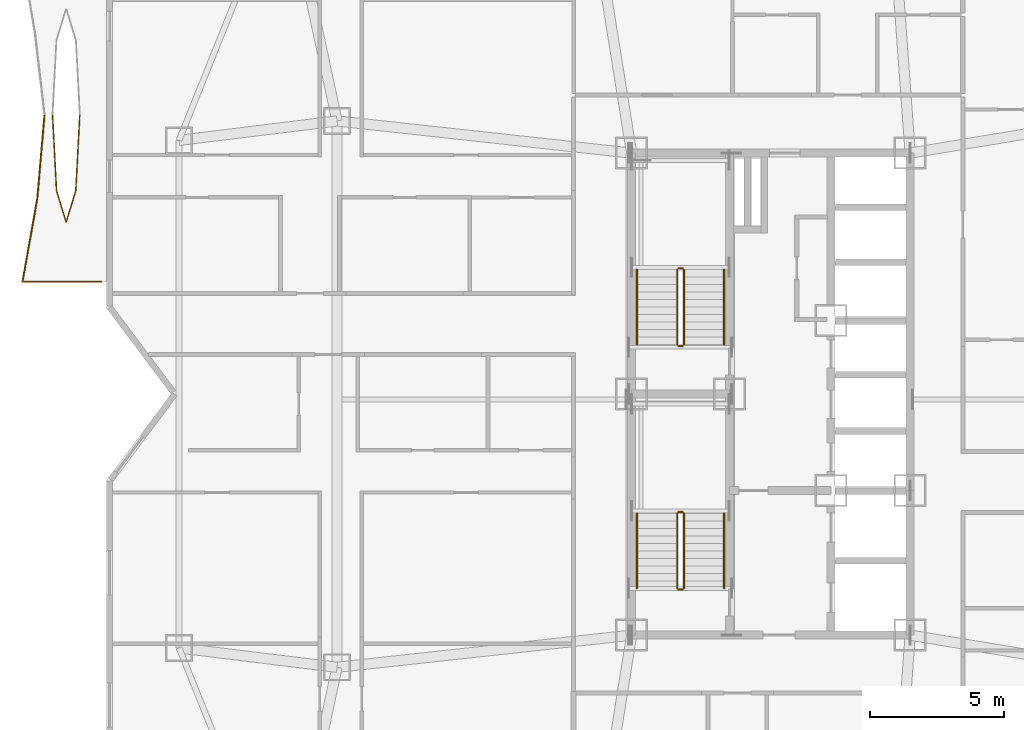
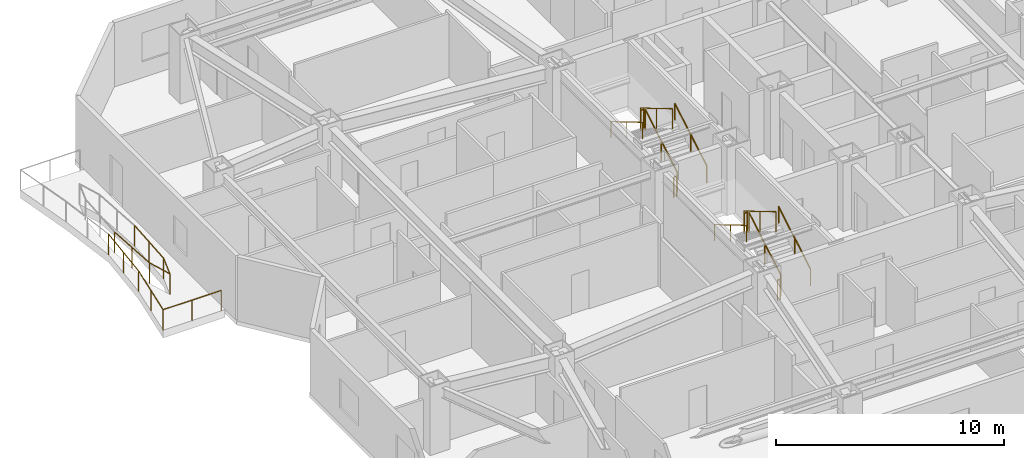
# One storey, part 13 of 14: 14 railings.
"""IFC4 building model written with IfcOpenShell, lengths in metres."""

from ifc_helpers import new_model, si_unit, direction, frame, origin, origin_2d, place, context, subcontext, project, spatial, circle, extrude, material, type_object, element, save


model = new_model("IFC4")

# Units and contexts
model_context = context("Model", 3, precision=1e-05, world=origin(), true_north=direction((0.0, 1.0)))
body_context = subcontext(model_context, "Body", "Model", "MODEL_VIEW")
ifc_project = project(units=[si_unit("LENGTHUNIT", "METRE"), si_unit("AREAUNIT", "SQUARE_METRE"), si_unit("VOLUMEUNIT", "CUBIC_METRE"), si_unit("PLANEANGLEUNIT", "RADIAN"), si_unit("MASSUNIT", "GRAM", prefix="KILO")], contexts=[model_context])

# Site, building, storey
site_placement = place(None, origin())
site = spatial("IfcSite", under=ifc_project, at=site_placement, CompositionType="ELEMENT")
building_placement = place(site_placement, origin())
building = spatial("IfcBuilding", under=site, at=building_placement, Name="Khamvora Tower", CompositionType="ELEMENT")
storey_placement = place(building_placement, frame((0.0, 0.0, 123.800048828125)))
storey = spatial("IfcBuildingStorey", under=building, at=storey_placement, Name="L31", CompositionType="ELEMENT", Elevation=123.800048828125)

# Railings
ifc_material_1 = material(Name="Stainless Steel 316 and Laminated Glass", Category="steel")
railing_type_1 = type_object("IfcRailingType", Name="RAL-GAL-1120", PredefinedType="GUARDRAIL", material=ifc_material_1)
railing_1_placement = place(storey_placement, frame((9.199951171875, 32.199951171875, 0.0)))
element("IfcRailing", 1, at=railing_1_placement, inside=storey, type_object=railing_type_1, Name="L31 lens gallery south perimeter guardrail WL2", PredefinedType="GUARDRAIL", context=body_context, shape_type="SweptSolid", body=[
    extrude(circle(Radius=0.02392578125, at=origin_2d()), frame((0.0, 0.0, 1.09619140625), z_axis=(-1.0, 0.0, 0.0), x_axis=(0.0, -1.0, 0.0)), (0.0, 0.0, 1.0), 2.947021484375),
    extrude(circle(Radius=0.02392578125, at=origin_2d()), frame((-2.947021484375, 0.0, 1.09619140625), z_axis=(0.175001599653, 0.984568149047, 0.0), x_axis=(-0.984568149047, 0.175001599653, 0.0)), (0.0, 0.0, 1.0), 3.148681640625),
    extrude(circle(Radius=0.02392578125, at=origin_2d()), frame((-2.39599609375, 3.10009765625, 1.09619140625), z_axis=(0.086155572338, 0.996281695784, 0.0), x_axis=(-0.996281695784, 0.086155572338, 0.0)), (0.0, 0.0, 1.0), 3.111328125),
    extrude(circle(Radius=0.02099609375, at=origin_2d()), origin(), (0.0, 0.0, 1.0), 1.072021484375),
    extrude(circle(Radius=0.02099609375, at=origin_2d()), frame((-1.4736328125, 0.0, 0.0)), (0.0, 0.0, 1.0), 1.072021484375),
    extrude(circle(Radius=0.02099609375, at=origin_2d()), frame((-2.947021484375, 0.0, 0.0)), (0.0, 0.0, 1.0), 1.072021484375),
    extrude(circle(Radius=0.02099609375, at=origin_2d()), frame((-2.67138671875, 1.550048828125, 0.0)), (0.0, 0.0, 1.0), 1.072021484375),
    extrude(circle(Radius=0.02099609375, at=origin_2d()), frame((-2.39599609375, 3.10009765625, 0.0)), (0.0, 0.0, 1.0), 1.072021484375),
    extrude(circle(Radius=0.02099609375, at=origin_2d()), frame((-2.261962890625, 4.64990234375, 0.0)), (0.0, 0.0, 1.0), 1.072021484375),
    extrude(circle(Radius=0.02099609375, at=origin_2d()), frame((-2.1279296875, 6.199951171875, 0.0)), (0.0, 0.0, 1.0), 1.072021484375),
])
railing_2_placement = place(storey_placement, frame((7.381103515625, 38.39990234375, 0.0)))
element("IfcRailing", 2, at=railing_2_placement, inside=storey, type_object=railing_type_1, Name="L31 lens gallery void guardrail WL2B", PredefinedType="GUARDRAIL", context=body_context, shape_type="SweptSolid", body=[
    extrude(circle(Radius=0.02392578125, at=origin_2d()), frame((0.0, 0.0, 1.09619140625), z_axis=(0.052654602562, -0.998612784231, 0.0), x_axis=(0.998612784231, 0.052654602562, 0.0)), (0.0, 0.0, 1.0), 2.809814453125),
    extrude(circle(Radius=0.02392578125, at=origin_2d()), frame((0.14794921875, -2.805908203125, 1.09619140625), z_axis=(0.292871691974, -0.956151751575, 0.0), x_axis=(0.956151751575, 0.292871691974, 0.0)), (0.0, 0.0, 1.0), 1.21533203125),
    extrude(circle(Radius=0.02392578125, at=origin_2d()), frame((0.50390625, -3.968017578125, 1.09619140625), z_axis=(0.292871691974, 0.956151751575, 0.0), x_axis=(-0.956151751575, 0.292871691974, 0.0)), (0.0, 0.0, 1.0), 1.21533203125),
    extrude(circle(Radius=0.02392578125, at=origin_2d()), frame((0.85986328125, -2.805908203125, 1.09619140625), z_axis=(0.052654602562, 0.998612784231, 0.0), x_axis=(-0.998612784231, 0.052654602562, 0.0)), (0.0, 0.0, 1.0), 2.809814453125),
    extrude(circle(Radius=0.02099609375, at=origin_2d()), origin(), (0.0, 0.0, 1.0), 1.072021484375),
    extrude(circle(Radius=0.02099609375, at=origin_2d()), frame((0.073974609375, -1.40283203125, 0.0)), (0.0, 0.0, 1.0), 1.072021484375),
    extrude(circle(Radius=0.02099609375, at=origin_2d()), frame((0.14794921875, -2.805908203125, 0.0)), (0.0, 0.0, 1.0), 1.072021484375),
    extrude(circle(Radius=0.02099609375, at=origin_2d()), frame((0.50390625, -3.968017578125, 0.0)), (0.0, 0.0, 1.0), 1.072021484375),
    extrude(circle(Radius=0.02099609375, at=origin_2d()), frame((0.85986328125, -2.805908203125, 0.0)), (0.0, 0.0, 1.0), 1.072021484375),
    extrude(circle(Radius=0.02099609375, at=origin_2d()), frame((0.933837890625, -1.40283203125, 0.0)), (0.0, 0.0, 1.0), 1.072021484375),
    extrude(circle(Radius=0.02099609375, at=origin_2d()), frame((1.0078125, 0.0, 0.0)), (0.0, 0.0, 1.0), 1.072021484375),
])
ifc_material_2 = material(Name="Brushed Stainless Steel 316", Category="steel")
railing_type_2 = type_object("IfcRailingType", Name="RAL-HDR-920", PredefinedType="HANDRAIL", material=ifc_material_2)
railing_3_placement = place(storey_placement, frame((32.449951171875, 20.75, 0.165771484375)))
element("IfcRailing", 3, at=railing_3_placement, inside=storey, type_object=railing_type_2, Name="L31 ST-01 stair handrail 1", PredefinedType="HANDRAIL", context=body_context, shape_type="SweptSolid", body=[
    extrude(circle(Radius=0.02392578125, at=origin_2d()), frame((0.0, 0.0, 0.8759765625), z_axis=(0.0, 0.860306154799, 0.50977771628), x_axis=(-1.0, 0.0, 0.0)), (0.0, 0.0, 1.0), 3.254638671875),
    extrude(circle(Radius=0.02099609375, at=origin_2d()), origin(), (0.0, 0.0, 1.0), 0.851806640625),
    extrude(circle(Radius=0.02099609375, at=origin_2d()), frame((0.0, 1.39990234375, 0.82958984375)), (0.0, 0.0, 1.0), 0.851806640625),
    extrude(circle(Radius=0.02099609375, at=origin_2d()), frame((0.0, 2.800048828125, 1.6591796875)), (0.0, 0.0, 1.0), 0.851806640625),
])
railing_4_placement = place(storey_placement, frame((29.199951171875, 23.550048828125, 1.990966796875)))
element("IfcRailing", 4, at=railing_4_placement, inside=storey, type_object=railing_type_2, Name="L31 ST-01 stair handrail 2", PredefinedType="HANDRAIL", context=body_context, shape_type="SweptSolid", body=[
    extrude(circle(Radius=0.02392578125, at=origin_2d()), frame((0.0, 0.0, 0.8759765625), z_axis=(0.0, -0.860339051648, 0.50972219513), x_axis=(1.0, 0.0, 0.0)), (0.0, 0.0, 1.0), 3.254638671875),
    extrude(circle(Radius=0.02099609375, at=origin_2d()), origin(), (0.0, 0.0, 1.0), 0.851806640625),
    extrude(circle(Radius=0.02099609375, at=origin_2d()), frame((0.0, -1.39990234375, 0.82958984375)), (0.0, 0.0, 1.0), 0.851806640625),
    extrude(circle(Radius=0.02099609375, at=origin_2d()), frame((0.0, -2.800048828125, 1.658935546875)), (0.0, 0.0, 1.0), 0.851806640625),
])
railing_5_placement = place(storey_placement, frame((32.449951171875, 29.85009765625, 0.165771484375)))
element("IfcRailing", 5, at=railing_5_placement, inside=storey, type_object=railing_type_2, Name="L31 ST-02 stair handrail 1", PredefinedType="HANDRAIL", context=body_context, shape_type="SweptSolid", body=[
    extrude(circle(Radius=0.02392578125, at=origin_2d()), frame((0.0, 0.0, 0.8759765625), z_axis=(0.0, 0.860286659441, 0.509810615413), x_axis=(-1.0, 0.0, 0.0)), (0.0, 0.0, 1.0), 3.25439453125),
    extrude(circle(Radius=0.02099609375, at=origin_2d()), origin(), (0.0, 0.0, 1.0), 0.851806640625),
    extrude(circle(Radius=0.02099609375, at=origin_2d()), frame((0.0, 1.39990234375, 0.82958984375)), (0.0, 0.0, 1.0), 0.851806640625),
    extrude(circle(Radius=0.02099609375, at=origin_2d()), frame((0.0, 2.7998046875, 1.6591796875)), (0.0, 0.0, 1.0), 0.851806640625),
])
railing_6_placement = place(storey_placement, frame((29.199951171875, 32.64990234375, 1.990966796875)))
element("IfcRailing", 6, at=railing_6_placement, inside=storey, type_object=railing_type_2, Name="L31 ST-02 stair handrail 2", PredefinedType="HANDRAIL", context=body_context, shape_type="SweptSolid", body=[
    extrude(circle(Radius=0.02392578125, at=origin_2d()), frame((0.0, 0.0, 0.8759765625), z_axis=(0.0, -0.860319559791, 0.509755093197), x_axis=(1.0, 0.0, 0.0)), (0.0, 0.0, 1.0), 3.25439453125),
    extrude(circle(Radius=0.02099609375, at=origin_2d()), origin(), (0.0, 0.0, 1.0), 0.851806640625),
    extrude(circle(Radius=0.02099609375, at=origin_2d()), frame((0.0, -1.39990234375, 0.82958984375)), (0.0, 0.0, 1.0), 0.851806640625),
    extrude(circle(Radius=0.02099609375, at=origin_2d()), frame((0.0, -2.7998046875, 1.658935546875)), (0.0, 0.0, 1.0), 0.851806640625),
])
ifc_material_3 = material(Name="Stainless Steel 316", Category="steel")
railing_type_3 = type_object("IfcRailingType", Name="RAL-STG-1100", PredefinedType="GUARDRAIL", material=ifc_material_3)
railing_7_placement = place(storey_placement, frame((30.949951171875, 20.75, 0.165771484375)))
element("IfcRailing", 7, at=railing_7_placement, inside=storey, type_object=railing_type_3, Name="L31 ST-01 stair guard 1", PredefinedType="GUARDRAIL", context=body_context, shape_type="SweptSolid", body=[
    extrude(circle(Radius=0.02392578125, at=origin_2d()), frame((0.0, 0.0, 1.076171875), z_axis=(0.0, 0.860306154799, 0.50977771628), x_axis=(-1.0, 0.0, 0.0)), (0.0, 0.0, 1.0), 3.254638671875),
    extrude(circle(Radius=0.02099609375, at=origin_2d()), origin(), (0.0, 0.0, 1.0), 1.052001953125),
    extrude(circle(Radius=0.02099609375, at=origin_2d()), frame((0.0, 1.39990234375, 0.82958984375)), (0.0, 0.0, 1.0), 1.052001953125),
    extrude(circle(Radius=0.02099609375, at=origin_2d()), frame((0.0, 2.800048828125, 1.6591796875)), (0.0, 0.0, 1.0), 1.052001953125),
])
railing_8_placement = place(storey_placement, frame((30.89990234375, 23.60009765625, 1.824951171875)))
element("IfcRailing", 8, at=railing_8_placement, inside=storey, type_object=railing_type_3, Name="L31 ST-01 stair guard 2", PredefinedType="GUARDRAIL", context=body_context, shape_type="SweptSolid", body=[
    extrude(circle(Radius=0.02392578125, at=origin_2d()), frame((0.0, 0.0, 1.076171875), z_axis=(-1.0, 0.0, 0.0), x_axis=(0.0, -1.0, 0.0)), (0.0, 0.0, 1.0), 0.14990234375),
    extrude(circle(Radius=0.02099609375, at=origin_2d()), origin(), (0.0, 0.0, 1.0), 1.052001953125),
    extrude(circle(Radius=0.02099609375, at=origin_2d()), frame((-0.14990234375, 0.0, 0.0)), (0.0, 0.0, 1.0), 1.052001953125),
])
railing_9_placement = place(storey_placement, frame((30.699951171875, 23.550048828125, 1.990966796875)))
element("IfcRailing", 9, at=railing_9_placement, inside=storey, type_object=railing_type_3, Name="L31 ST-01 stair guard 3", PredefinedType="GUARDRAIL", context=body_context, shape_type="SweptSolid", body=[
    extrude(circle(Radius=0.02392578125, at=origin_2d()), frame((0.0, 0.0, 1.076171875), z_axis=(0.0, -0.860339051648, 0.50972219513), x_axis=(1.0, 0.0, 0.0)), (0.0, 0.0, 1.0), 3.254638671875),
    extrude(circle(Radius=0.02099609375, at=origin_2d()), origin(), (0.0, 0.0, 1.0), 1.052001953125),
    extrude(circle(Radius=0.02099609375, at=origin_2d()), frame((0.0, -1.39990234375, 0.82958984375)), (0.0, 0.0, 1.0), 1.052001953125),
    extrude(circle(Radius=0.02099609375, at=origin_2d()), frame((0.0, -2.800048828125, 1.658935546875)), (0.0, 0.0, 1.0), 1.052001953125),
])
railing_10_placement = place(storey_placement, frame((30.89990234375, 20.699951171875, 0.0)))
element("IfcRailing", 10, at=railing_10_placement, inside=storey, type_object=railing_type_3, Name="L31 ST-01 stair guard 4", PredefinedType="GUARDRAIL", context=body_context, shape_type="SweptSolid", body=[
    extrude(circle(Radius=0.02392578125, at=origin_2d()), frame((0.0, 0.0, 1.076171875), z_axis=(-1.0, 0.0, 0.0), x_axis=(0.0, -1.0, 0.0)), (0.0, 0.0, 1.0), 0.14990234375),
    extrude(circle(Radius=0.02099609375, at=origin_2d()), origin(), (0.0, 0.0, 1.0), 1.052001953125),
    extrude(circle(Radius=0.02099609375, at=origin_2d()), frame((-0.14990234375, 0.0, 0.0)), (0.0, 0.0, 1.0), 1.052001953125),
])
railing_11_placement = place(storey_placement, frame((30.949951171875, 29.85009765625, 0.165771484375)))
element("IfcRailing", 11, at=railing_11_placement, inside=storey, type_object=railing_type_3, Name="L31 ST-02 stair guard 1", PredefinedType="GUARDRAIL", context=body_context, shape_type="SweptSolid", body=[
    extrude(circle(Radius=0.02392578125, at=origin_2d()), frame((0.0, 0.0, 1.076171875), z_axis=(0.0, 0.860286659441, 0.509810615413), x_axis=(-1.0, 0.0, 0.0)), (0.0, 0.0, 1.0), 3.25439453125),
    extrude(circle(Radius=0.02099609375, at=origin_2d()), origin(), (0.0, 0.0, 1.0), 1.052001953125),
    extrude(circle(Radius=0.02099609375, at=origin_2d()), frame((0.0, 1.39990234375, 0.82958984375)), (0.0, 0.0, 1.0), 1.052001953125),
    extrude(circle(Radius=0.02099609375, at=origin_2d()), frame((0.0, 2.7998046875, 1.6591796875)), (0.0, 0.0, 1.0), 1.052001953125),
])
railing_12_placement = place(storey_placement, frame((30.89990234375, 32.699951171875, 1.824951171875)))
element("IfcRailing", 12, at=railing_12_placement, inside=storey, type_object=railing_type_3, Name="L31 ST-02 stair guard 2", PredefinedType="GUARDRAIL", context=body_context, shape_type="SweptSolid", body=[
    extrude(circle(Radius=0.02392578125, at=origin_2d()), frame((0.0, 0.0, 1.076171875), z_axis=(-1.0, 0.0, 0.0), x_axis=(0.0, -1.0, 0.0)), (0.0, 0.0, 1.0), 0.14990234375),
    extrude(circle(Radius=0.02099609375, at=origin_2d()), origin(), (0.0, 0.0, 1.0), 1.052001953125),
    extrude(circle(Radius=0.02099609375, at=origin_2d()), frame((-0.14990234375, 0.0, 0.0)), (0.0, 0.0, 1.0), 1.052001953125),
])
railing_13_placement = place(storey_placement, frame((30.699951171875, 32.64990234375, 1.990966796875)))
element("IfcRailing", 13, at=railing_13_placement, inside=storey, type_object=railing_type_3, Name="L31 ST-02 stair guard 3", PredefinedType="GUARDRAIL", context=body_context, shape_type="SweptSolid", body=[
    extrude(circle(Radius=0.02392578125, at=origin_2d()), frame((0.0, 0.0, 1.076171875), z_axis=(0.0, -0.860319559791, 0.509755093197), x_axis=(1.0, 0.0, 0.0)), (0.0, 0.0, 1.0), 3.25439453125),
    extrude(circle(Radius=0.02099609375, at=origin_2d()), origin(), (0.0, 0.0, 1.0), 1.052001953125),
    extrude(circle(Radius=0.02099609375, at=origin_2d()), frame((0.0, -1.39990234375, 0.82958984375)), (0.0, 0.0, 1.0), 1.052001953125),
    extrude(circle(Radius=0.02099609375, at=origin_2d()), frame((0.0, -2.7998046875, 1.658935546875)), (0.0, 0.0, 1.0), 1.052001953125),
])
railing_14_placement = place(storey_placement, frame((30.89990234375, 29.800048828125, 0.0)))
element("IfcRailing", 14, at=railing_14_placement, inside=storey, type_object=railing_type_3, Name="L31 ST-02 stair guard 4", PredefinedType="GUARDRAIL", context=body_context, shape_type="SweptSolid", body=[
    extrude(circle(Radius=0.02392578125, at=origin_2d()), frame((0.0, 0.0, 1.076171875), z_axis=(-1.0, 0.0, 0.0), x_axis=(0.0, -1.0, 0.0)), (0.0, 0.0, 1.0), 0.14990234375),
    extrude(circle(Radius=0.02099609375, at=origin_2d()), origin(), (0.0, 0.0, 1.0), 1.052001953125),
    extrude(circle(Radius=0.02099609375, at=origin_2d()), frame((-0.14990234375, 0.0, 0.0)), (0.0, 0.0, 1.0), 1.052001953125),
])

save(model, "model.ifc")
